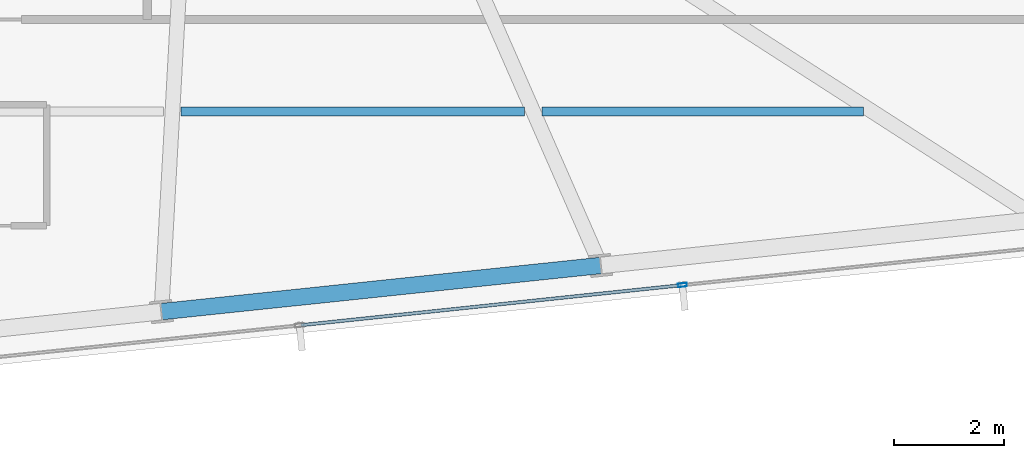
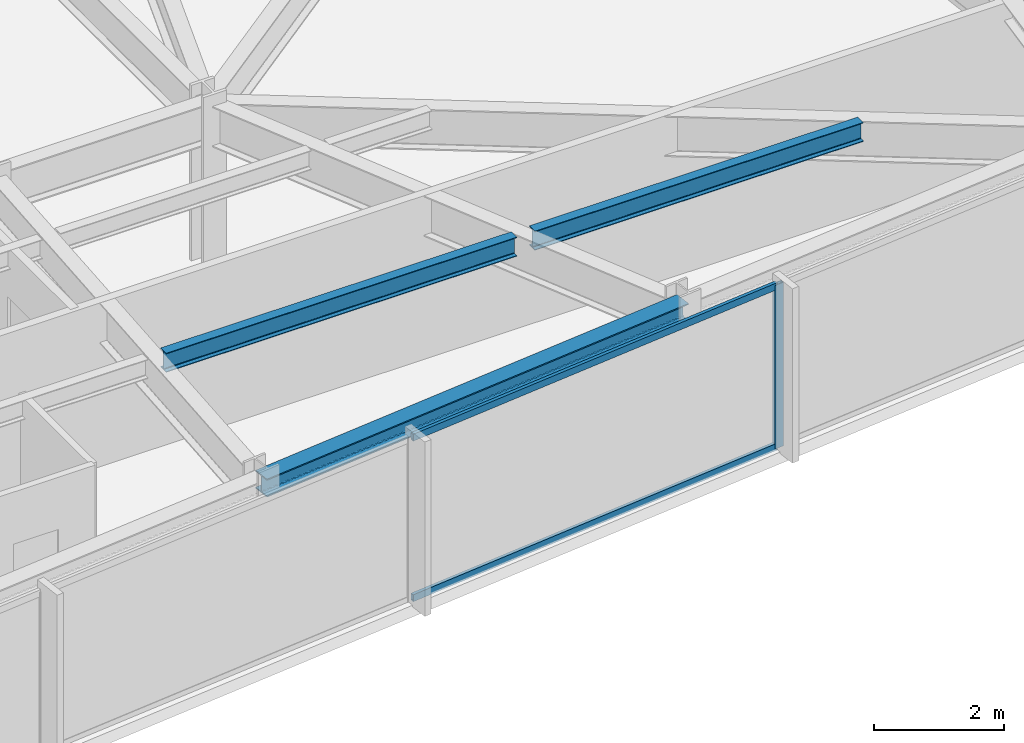
# One storey, part 15 of 33: 3 beams, 3 members, 1 element without a shape of its own.
"""IFC4 building model written with IfcOpenShell, lengths in metres."""

from ifc_helpers import new_model, si_unit, direction, frame, origin, origin_2d, place, context, subcontext, project, spatial, hollow_rectangle, i_section, extrude, material, material_profile, profile_set, type_object, element, aggregate, save


model = new_model("IFC4")

# Units and contexts
model_context = context("Model", 3, precision=1e-05, world=origin(), true_north=direction((0.0, 1.0)))
body_context = subcontext(model_context, "Body", "Model", "MODEL_VIEW")
ifc_project = project(units=[si_unit("LENGTHUNIT", "METRE"), si_unit("AREAUNIT", "SQUARE_METRE"), si_unit("VOLUMEUNIT", "CUBIC_METRE"), si_unit("PLANEANGLEUNIT", "RADIAN"), si_unit("MASSUNIT", "GRAM", prefix="KILO")], contexts=[model_context])

# Site, building, storey
site_placement = place(None, origin())
site = spatial("IfcSite", under=ifc_project, at=site_placement, CompositionType="ELEMENT")
building_placement = place(site_placement, origin())
building = spatial("IfcBuilding", under=site, at=building_placement, Name="Yelkora Congress Tower", CompositionType="ELEMENT")
storey_placement = place(building_placement, frame((0.0, 0.0, 234.199951171875)))
storey = spatial("IfcBuildingStorey", under=building, at=storey_placement, Name="L65", CompositionType="ELEMENT", Elevation=234.199951171875)

# Beams
ifc_material_1 = material(Name="Steel S355J2", Category="steel")
ifc_material_profile_1 = material_profile(ifc_material_1, i_section(OverallWidth=0.169921875, OverallDepth=0.360107421875, WebThickness=0.008056640625, FlangeThickness=0.0126953125, FilletRadius=0.01806640625, at=origin_2d()), Name="IPE 360")
ifc_profile_set_1 = profile_set([ifc_material_profile_1], Name="Steel S355J2")
beam_type_1 = type_object("IfcBeamType", Name="BM-JOIST-IPE360", PredefinedType="JOIST", material=ifc_profile_set_1)
beam_1_placement = place(storey_placement, frame((53.616455078125, 19.678466796875, 2.900146484375), z_axis=(1.0, 0.0, 0.0), x_axis=(0.0, 1.0, 0.0)))
element("IfcBeam", 1, at=beam_1_placement, inside=storey, type_object=beam_type_1, Name="L65 Composite Floor Joist 7", PredefinedType="JOIST", context=body_context, shape_type="SweptSolid", body=[
    extrude(i_section(OverallWidth=0.169921875, OverallDepth=0.360107421875, WebThickness=0.008056640625, FlangeThickness=0.0126953125, FilletRadius=0.01806640625, at=origin_2d()), origin(), (0.0, 0.0, 1.0), 6.2421875),
])
beam_2_placement = place(storey_placement, frame((60.1787109375, 19.678466796875, 2.900146484375), z_axis=(1.0, 0.0, 0.0), x_axis=(0.0, 1.0, 0.0)))
element("IfcBeam", 2, at=beam_2_placement, inside=storey, type_object=beam_type_1, Name="L65 Composite Floor Joist 8", PredefinedType="JOIST", context=body_context, shape_type="SweptSolid", body=[
    extrude(i_section(OverallWidth=0.169921875, OverallDepth=0.360107421875, WebThickness=0.008056640625, FlangeThickness=0.0126953125, FilletRadius=0.01806640625, at=origin_2d()), origin(), (0.0, 0.0, 1.0), 5.84619140625),
])
ifc_material_profile_2 = material_profile(ifc_material_1, i_section(OverallWidth=0.300048828125, OverallDepth=0.340087890625, WebThickness=0.011962890625, FlangeThickness=0.021484375, FilletRadius=0.027099609375, at=origin_2d()), Name="HEB 340")
ifc_profile_set_2 = profile_set([ifc_material_profile_2], Name="Steel S355J2")
beam_type_2 = type_object("IfcBeamType", Name="BM-SPAN-HEB340", PredefinedType="SPANDREL", material=ifc_profile_set_2)
beam_3_placement = place(storey_placement, frame((53.25634765625, 16.037353515625, 2.91015625), z_axis=(0.994520097542, 0.104545567032, 0.0), x_axis=(-0.104545567032, 0.994520097542, 0.0)))
element("IfcBeam", 3, at=beam_3_placement, inside=storey, type_object=beam_type_2, Name="L65 Perimeter Beam 7", PredefinedType="SPANDREL", context=body_context, shape_type="SweptSolid", body=[
    extrude(i_section(OverallWidth=0.300048828125, OverallDepth=0.340087890625, WebThickness=0.011962890625, FlangeThickness=0.021484375, FilletRadius=0.027099609375, at=origin_2d()), origin(), (0.0, 0.0, 1.0), 8.033203125),
])

# Curtain wall, members
ifc_material_2 = material(Name="Anodised aluminium and insulated glass", Category="aluminium")
curtain_wall_type = type_object("IfcCurtainWallType", Name="CW-SYS-B4", PredefinedType="NOTDEFINED", material=ifc_material_2)
curtain_wall_placement = place(storey_placement, origin())
curtain_wall = element("IfcCurtainWall", 4, at=curtain_wall_placement, inside=storey, type_object=curtain_wall_type, Name="L65 Unitised Curtain Wall 20", PredefinedType="NOTDEFINED")
ifc_material_3 = material(Name="Anodised aluminium 6063-T6", Category="aluminium")
ifc_material_profile_3 = material_profile(ifc_material_3, hollow_rectangle(XDim=0.06494140625, YDim=0.159912109375, WallThickness=0.00390625, at=origin_2d()), Name="ALU 65x160x4")
ifc_profile_set_3 = profile_set([ifc_material_profile_3], Name="Anodised aluminium 6063-T6")
member_type_1 = type_object("IfcMemberType", Name="MEM-ML-B4", PredefinedType="MULLION", material=ifc_profile_set_3)
member_1_placement = place(storey_placement, frame((62.731689453125, 16.5205078125, 0.0), z_axis=(0.0, 0.0, 1.0), x_axis=(0.104526664994, -0.994522084373, 0.0)))
member_1 = element("IfcMember", 5, at=member_1_placement, type_object=member_type_1, Name="CW-B4 mullion 2", PredefinedType="MULLION", context=body_context, shape_type="SweptSolid", body=[
    extrude(hollow_rectangle(XDim=0.06494140625, YDim=0.159912109375, WallThickness=0.00390625, at=origin_2d()), origin(), (0.0, 0.0, 1.0), 3.080078125),
])
ifc_material_profile_4 = material_profile(ifc_material_3, hollow_rectangle(XDim=0.06005859375, YDim=0.1298828125, WallThickness=0.00390625, at=origin_2d()), Name="ALU 60x130x4")
ifc_profile_set_4 = profile_set([ifc_material_profile_4], Name="Anodised aluminium 6063-T6")
member_type_2 = type_object("IfcMemberType", Name="MEM-TR-B4", PredefinedType="USERDEFINED", material=ifc_profile_set_4)
member_2_placement = place(storey_placement, frame((62.69921875, 16.51708984375, 0.030029296875), z_axis=(-0.994519904787, -0.104547400648, 0.0), x_axis=(0.104547400648, -0.994519904787, 0.0)))
member_2 = element("IfcMember", 6, at=member_2_placement, type_object=member_type_2, Name="CW-B4 transom 2.1", ObjectType="TRANSOM", PredefinedType="USERDEFINED", context=body_context, shape_type="SweptSolid", body=[
    extrude(hollow_rectangle(XDim=0.06005859375, YDim=0.1298828125, WallThickness=0.00390625, at=origin_2d()), origin(), (0.0, 0.0, 1.0), 6.93798828125),
])
member_3_placement = place(storey_placement, frame((62.69921875, 16.51708984375, 3.050048828125), z_axis=(-0.994519904787, -0.104547400648, 0.0), x_axis=(0.104547400648, -0.994519904787, 0.0)))
member_3 = element("IfcMember", 7, at=member_3_placement, type_object=member_type_2, Name="CW-B4 transom 2.2", ObjectType="TRANSOM", PredefinedType="USERDEFINED", context=body_context, shape_type="SweptSolid", body=[
    extrude(hollow_rectangle(XDim=0.06005859375, YDim=0.1298828125, WallThickness=0.00390625, at=origin_2d()), origin(), (0.0, 0.0, 1.0), 6.93798828125),
])
aggregate(curtain_wall, [member_1, member_2, member_3])

save(model, "model.ifc")
